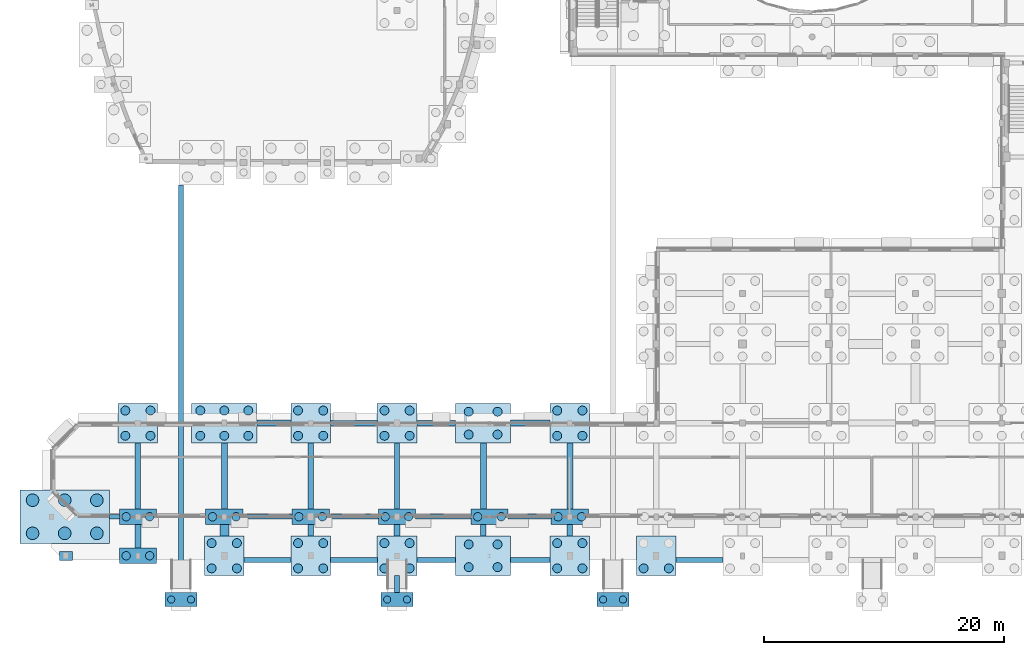
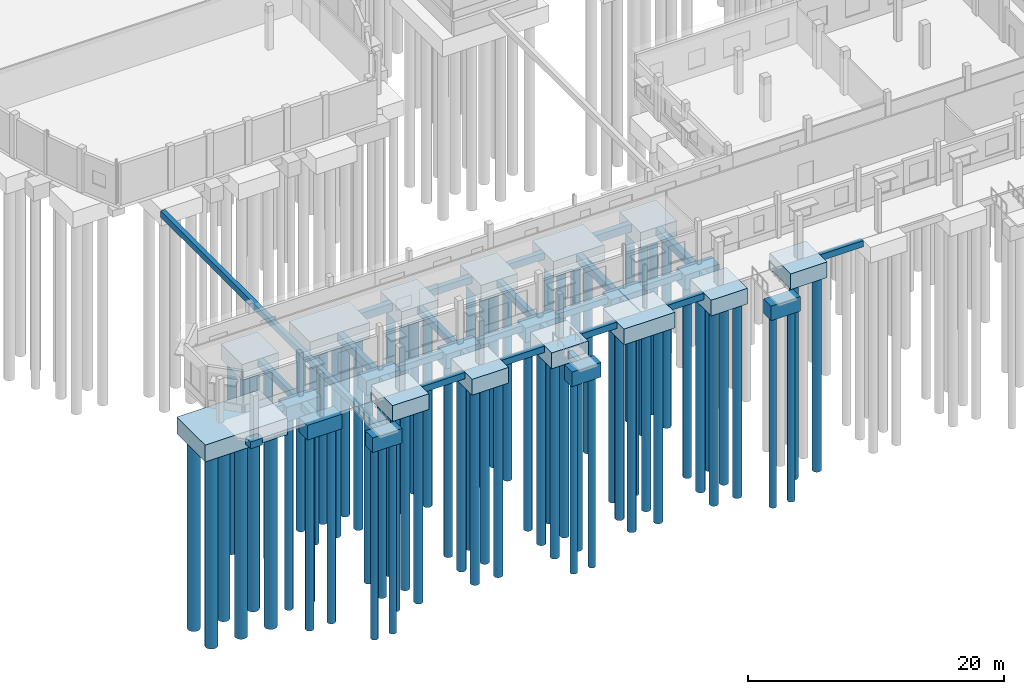
# One storey, part 1 of 93: 74 piles, 52 footings.
"""IFC4 building model written with IfcOpenShell, lengths in metres."""

from ifc_helpers import new_model, si_unit, direction, frame, origin, origin_2d, place, context, subcontext, project, spatial, rectangle, circle, extrude, material, material_profile, profile_set, type_object, element, save


model = new_model("IFC4")

# Units and contexts
model_context = context("Model", 3, precision=1e-05, world=origin(), true_north=direction((0.0, 1.0)))
body_context = subcontext(model_context, "Body", "Model", "MODEL_VIEW")
ifc_project = project(units=[si_unit("LENGTHUNIT", "METRE"), si_unit("AREAUNIT", "SQUARE_METRE"), si_unit("VOLUMEUNIT", "CUBIC_METRE"), si_unit("PLANEANGLEUNIT", "RADIAN"), si_unit("MASSUNIT", "GRAM", prefix="KILO")], contexts=[model_context])

# Site, building, storey
site_placement = place(None, origin())
site = spatial("IfcSite", under=ifc_project, at=site_placement, CompositionType="ELEMENT")
building_placement = place(site_placement, origin())
building = spatial("IfcBuilding", under=site, at=building_placement, Name="Kelanivale Promenade Academy", CompositionType="ELEMENT")
storey_placement = place(building_placement, origin())
storey = spatial("IfcBuildingStorey", under=building, at=storey_placement, Name="L00", CompositionType="ELEMENT", Elevation=0.0)

# Piles
ifc_material = material(Name="Concrete C35/45", Category="concrete")
ifc_material_profile_1 = material_profile(ifc_material, circle(Radius=0.300048828125, at=origin_2d()), Name="BORED PILE D600")
ifc_profile_set_1 = profile_set([ifc_material_profile_1], Name="Concrete C35/45")
pile_type_1 = type_object("IfcPileType", Name="BP-1 BORED PILE D600", PredefinedType="BORED", material=ifc_profile_set_1)
for number, where, z_axis, x_axis, name in (
    (1, (9.97509765625, -3.300048828125, -1.625), (0.0, 0.0, -1.0), (1.0, 0.0, 0.0), "Bored pile FC-RMP-01-BP1-P01"),
    (2, (11.625, -3.300048828125, -1.625), (0.0, 0.0, -1.0), (1.0, 0.0, 0.0), "Bored pile FC-RMP-01-BP1-P02"),
    (3, (27.97509765625, -3.300048828125, -1.625), (0.0, 0.0, -1.0), (1.0, 0.0, 0.0), "Bored pile FC-RMP-02-BP1-P01"),
    (4, (29.625, -3.300048828125, -1.625), (0.0, 0.0, -1.0), (1.0, 0.0, 0.0), "Bored pile FC-RMP-02-BP1-P02"),
    (5, (45.97509765625, -3.300048828125, -1.625), (0.0, 0.0, -1.0), (1.0, 0.0, 0.0), "Bored pile FC-RMP-03-BP1-P01"),
    (6, (47.625, -3.300048828125, -1.625), (0.0, 0.0, -1.0), (1.0, 0.0, 0.0), "Bored pile FC-RMP-03-BP1-P02"),
):
    element("IfcPile", number, at=place(storey_placement, frame(where, z_axis=z_axis, x_axis=x_axis)), inside=storey, type_object=pile_type_1, Name=name, PredefinedType="BORED", context=body_context, shape_type="SweptSolid", body=[
        extrude(circle(Radius=0.300048828125, at=origin_2d()), origin(), (0.0, 0.0, 1.0), 18.375),
    ])
ifc_material_profile_2 = material_profile(ifc_material, circle(Radius=0.35009765625, at=origin_2d()), Name="BORED PILE D700")
ifc_profile_set_2 = profile_set([ifc_material_profile_2], Name="Concrete C35/45")
pile_type_2 = type_object("IfcPileType", Name="BP-2 BORED PILE D700", PredefinedType="BORED", material=ifc_profile_set_2)
for number, where, z_axis, x_axis, name in (
    (7, (6.219970703125, 0.35009765625, -1.25), (0.0, 0.0, -1.0), (1.0, 0.0, 0.0), "Bored pile FC-011-BP2-P01"),
    (8, (8.179931640625, 0.35009765625, -1.25), (0.0, 0.0, -1.0), (1.0, 0.0, 0.0), "Bored pile FC-011-BP2-P02"),
):
    element("IfcPile", number, at=place(storey_placement, frame(where, z_axis=z_axis, x_axis=x_axis)), inside=storey, type_object=pile_type_2, Name=name, PredefinedType="BORED", context=body_context, shape_type="SweptSolid", body=[
        extrude(circle(Radius=0.35009765625, at=origin_2d()), origin(), (0.0, 0.0, 1.0), 18.75),
    ])
for number, where, z_axis, x_axis, name in (
    (9, (6.219970703125, 3.60009765625, -1.5), (0.0, 0.0, -1.0), (1.0, 0.0, 0.0), "Bored pile FC-012-BP2-P01"),
    (10, (8.179931640625, 3.60009765625, -1.5), (0.0, 0.0, -1.0), (1.0, 0.0, 0.0), "Bored pile FC-012-BP2-P02"),
    (11, (13.419921875, 3.60009765625, -1.5), (0.0, 0.0, -1.0), (1.0, 0.0, 0.0), "Bored pile FC-017-BP2-P01"),
    (12, (15.3798828125, 3.60009765625, -1.5), (0.0, 0.0, -1.0), (1.0, 0.0, 0.0), "Bored pile FC-017-BP2-P02"),
    (13, (20.6201171875, 3.60009765625, -1.5), (0.0, 0.0, -1.0), (1.0, 0.0, 0.0), "Bored pile FC-024-BP2-P01"),
    (14, (22.580078125, 3.60009765625, -1.5), (0.0, 0.0, -1.0), (1.0, 0.0, 0.0), "Bored pile FC-024-BP2-P02"),
    (15, (27.820068359375, 3.60009765625, -1.5), (0.0, 0.0, -1.0), (1.0, 0.0, 0.0), "Bored pile FC-031-BP2-P01"),
    (16, (29.780029296875, 3.60009765625, -1.5), (0.0, 0.0, -1.0), (1.0, 0.0, 0.0), "Bored pile FC-031-BP2-P02"),
    (17, (35.52001953125, 3.60009765625, -1.5), (0.0, 0.0, -1.0), (1.0, 0.0, 0.0), "Bored pile FC-046-BP2-P01"),
    (18, (37.47998046875, 3.60009765625, -1.5), (0.0, 0.0, -1.0), (1.0, 0.0, 0.0), "Bored pile FC-046-BP2-P02"),
    (19, (42.219970703125, 3.60009765625, -1.5), (0.0, 0.0, -1.0), (1.0, 0.0, 0.0), "Bored pile FC-048-BP2-P01"),
    (20, (44.179931640625, 3.60009765625, -1.5), (0.0, 0.0, -1.0), (1.0, 0.0, 0.0), "Bored pile FC-048-BP2-P02"),
):
    element("IfcPile", number, at=place(storey_placement, frame(where, z_axis=z_axis, x_axis=x_axis)), inside=storey, type_object=pile_type_2, Name=name, PredefinedType="BORED", context=body_context, shape_type="SweptSolid", body=[
        extrude(circle(Radius=0.35009765625, at=origin_2d()), origin(), (0.0, 0.0, 1.0), 18.5),
    ])
ifc_material_profile_3 = material_profile(ifc_material, circle(Radius=0.375, at=origin_2d()), Name="BORED PILE D750")
ifc_profile_set_3 = profile_set([ifc_material_profile_3], Name="Concrete C35/45")
pile_type_3 = type_object("IfcPileType", Name="BP-3 BORED PILE D750", PredefinedType="BORED", material=ifc_profile_set_3)
for number, where, z_axis, x_axis, name in (
    (21, (34.77490234375, -0.60009765625, -1.35009765625), (0.0, 0.0, -1.0), (1.0, 0.0, 0.0), "Bored pile FC-MJ-WP1-BP3-P01"),
    (22, (34.77490234375, 1.300048828125, -1.35009765625), (0.0, 0.0, -1.0), (1.0, 0.0, 0.0), "Bored pile FC-MJ-WP1-BP3-P02"),
    (23, (37.175048828125, -0.60009765625, -1.35009765625), (0.0, 0.0, -1.0), (1.0, 0.0, 0.0), "Bored pile FC-MJ-WP1-BP3-P03"),
    (24, (37.175048828125, 1.300048828125, -1.35009765625), (0.0, 0.0, -1.0), (1.0, 0.0, 0.0), "Bored pile FC-MJ-WP1-BP3-P04"),
):
    element("IfcPile", number, at=place(storey_placement, frame(where, z_axis=z_axis, x_axis=x_axis)), inside=storey, type_object=pile_type_3, Name=name, PredefinedType="BORED", context=body_context, shape_type="SweptSolid", body=[
        extrude(circle(Radius=0.375, at=origin_2d()), origin(), (0.0, 0.0, 1.0), 18.64990234375),
    ])
for number, where, z_axis, x_axis, name in (
    (25, (34.77490234375, 10.449951171875, -1.60009765625), (0.0, 0.0, -1.0), (1.0, 0.0, 0.0), "Bored pile FC-MJ-WP3-BP3-P01"),
    (26, (34.77490234375, 12.35009765625, -1.60009765625), (0.0, 0.0, -1.0), (1.0, 0.0, 0.0), "Bored pile FC-MJ-WP3-BP3-P02"),
    (27, (37.175048828125, 10.449951171875, -1.60009765625), (0.0, 0.0, -1.0), (1.0, 0.0, 0.0), "Bored pile FC-MJ-WP3-BP3-P03"),
    (28, (37.175048828125, 12.35009765625, -1.60009765625), (0.0, 0.0, -1.0), (1.0, 0.0, 0.0), "Bored pile FC-MJ-WP3-BP3-P04"),
    (29, (6.14990234375, 10.35009765625, -1.60009765625), (0.0, 0.0, -1.0), (1.0, 0.0, 0.0), "Bored pile FC-013-BP3-P01"),
    (30, (6.14990234375, 12.449951171875, -1.60009765625), (0.0, 0.0, -1.0), (1.0, 0.0, 0.0), "Bored pile FC-013-BP3-P02"),
    (31, (8.25, 10.35009765625, -1.60009765625), (0.0, 0.0, -1.0), (1.0, 0.0, 0.0), "Bored pile FC-013-BP3-P03"),
    (32, (8.25, 12.449951171875, -1.60009765625), (0.0, 0.0, -1.0), (1.0, 0.0, 0.0), "Bored pile FC-013-BP3-P04"),
):
    element("IfcPile", number, at=place(storey_placement, frame(where, z_axis=z_axis, x_axis=x_axis)), inside=storey, type_object=pile_type_3, Name=name, PredefinedType="BORED", context=body_context, shape_type="SweptSolid", body=[
        extrude(circle(Radius=0.375, at=origin_2d()), origin(), (0.0, 0.0, 1.0), 18.39990234375),
    ])
for number, where, z_axis, x_axis, name in (
    (33, (13.35009765625, -0.699951171875, -1.35009765625), (0.0, 0.0, -1.0), (1.0, 0.0, 0.0), "Bored pile FC-016-BP3-P01"),
    (34, (13.35009765625, 1.39990234375, -1.35009765625), (0.0, 0.0, -1.0), (1.0, 0.0, 0.0), "Bored pile FC-016-BP3-P02"),
    (35, (15.449951171875, -0.699951171875, -1.35009765625), (0.0, 0.0, -1.0), (1.0, 0.0, 0.0), "Bored pile FC-016-BP3-P03"),
    (36, (15.449951171875, 1.39990234375, -1.35009765625), (0.0, 0.0, -1.0), (1.0, 0.0, 0.0), "Bored pile FC-016-BP3-P04"),
):
    element("IfcPile", number, at=place(storey_placement, frame(where, z_axis=z_axis, x_axis=x_axis)), inside=storey, type_object=pile_type_3, Name=name, PredefinedType="BORED", context=body_context, shape_type="SweptSolid", body=[
        extrude(circle(Radius=0.375, at=origin_2d()), origin(), (0.0, 0.0, 1.0), 18.64990234375),
    ])
for number, where, z_axis, x_axis, name in (
    (37, (12.39990234375, 10.35009765625, -1.60009765625), (0.0, 0.0, -1.0), (1.0, 0.0, 0.0), "Bored pile FC-018-BP3-P01"),
    (38, (14.39990234375, 10.35009765625, -1.60009765625), (0.0, 0.0, -1.0), (1.0, 0.0, 0.0), "Bored pile FC-018-BP3-P02"),
    (39, (16.39990234375, 10.35009765625, -1.60009765625), (0.0, 0.0, -1.0), (1.0, 0.0, 0.0), "Bored pile FC-018-BP3-P03"),
    (40, (12.39990234375, 12.449951171875, -1.60009765625), (0.0, 0.0, -1.0), (1.0, 0.0, 0.0), "Bored pile FC-018-BP3-P04"),
    (41, (14.39990234375, 12.449951171875, -1.60009765625), (0.0, 0.0, -1.0), (1.0, 0.0, 0.0), "Bored pile FC-018-BP3-P05"),
    (42, (16.39990234375, 12.449951171875, -1.60009765625), (0.0, 0.0, -1.0), (1.0, 0.0, 0.0), "Bored pile FC-018-BP3-P06"),
):
    element("IfcPile", number, at=place(storey_placement, frame(where, z_axis=z_axis, x_axis=x_axis)), inside=storey, type_object=pile_type_3, Name=name, PredefinedType="BORED", context=body_context, shape_type="SweptSolid", body=[
        extrude(circle(Radius=0.375, at=origin_2d()), origin(), (0.0, 0.0, 1.0), 18.39990234375),
    ])
for number, where, z_axis, x_axis, name in (
    (43, (20.550048828125, -0.699951171875, -1.35009765625), (0.0, 0.0, -1.0), (1.0, 0.0, 0.0), "Bored pile FC-023-BP3-P01"),
    (44, (20.550048828125, 1.39990234375, -1.35009765625), (0.0, 0.0, -1.0), (1.0, 0.0, 0.0), "Bored pile FC-023-BP3-P02"),
    (45, (22.64990234375, -0.699951171875, -1.35009765625), (0.0, 0.0, -1.0), (1.0, 0.0, 0.0), "Bored pile FC-023-BP3-P03"),
    (46, (22.64990234375, 1.39990234375, -1.35009765625), (0.0, 0.0, -1.0), (1.0, 0.0, 0.0), "Bored pile FC-023-BP3-P04"),
):
    element("IfcPile", number, at=place(storey_placement, frame(where, z_axis=z_axis, x_axis=x_axis)), inside=storey, type_object=pile_type_3, Name=name, PredefinedType="BORED", context=body_context, shape_type="SweptSolid", body=[
        extrude(circle(Radius=0.375, at=origin_2d()), origin(), (0.0, 0.0, 1.0), 18.64990234375),
    ])
for number, where, z_axis, x_axis, name in (
    (47, (20.550048828125, 10.35009765625, -1.60009765625), (0.0, 0.0, -1.0), (1.0, 0.0, 0.0), "Bored pile FC-025-BP3-P01"),
    (48, (20.550048828125, 12.449951171875, -1.60009765625), (0.0, 0.0, -1.0), (1.0, 0.0, 0.0), "Bored pile FC-025-BP3-P02"),
    (49, (22.64990234375, 10.35009765625, -1.60009765625), (0.0, 0.0, -1.0), (1.0, 0.0, 0.0), "Bored pile FC-025-BP3-P03"),
    (50, (22.64990234375, 12.449951171875, -1.60009765625), (0.0, 0.0, -1.0), (1.0, 0.0, 0.0), "Bored pile FC-025-BP3-P04"),
):
    element("IfcPile", number, at=place(storey_placement, frame(where, z_axis=z_axis, x_axis=x_axis)), inside=storey, type_object=pile_type_3, Name=name, PredefinedType="BORED", context=body_context, shape_type="SweptSolid", body=[
        extrude(circle(Radius=0.375, at=origin_2d()), origin(), (0.0, 0.0, 1.0), 18.39990234375),
    ])
for number, where, z_axis, x_axis, name in (
    (51, (27.75, -0.699951171875, -1.35009765625), (0.0, 0.0, -1.0), (1.0, 0.0, 0.0), "Bored pile FC-030-BP3-P01"),
    (52, (27.75, 1.39990234375, -1.35009765625), (0.0, 0.0, -1.0), (1.0, 0.0, 0.0), "Bored pile FC-030-BP3-P02"),
    (53, (29.85009765625, -0.699951171875, -1.35009765625), (0.0, 0.0, -1.0), (1.0, 0.0, 0.0), "Bored pile FC-030-BP3-P03"),
    (54, (29.85009765625, 1.39990234375, -1.35009765625), (0.0, 0.0, -1.0), (1.0, 0.0, 0.0), "Bored pile FC-030-BP3-P04"),
):
    element("IfcPile", number, at=place(storey_placement, frame(where, z_axis=z_axis, x_axis=x_axis)), inside=storey, type_object=pile_type_3, Name=name, PredefinedType="BORED", context=body_context, shape_type="SweptSolid", body=[
        extrude(circle(Radius=0.375, at=origin_2d()), origin(), (0.0, 0.0, 1.0), 18.64990234375),
    ])
for number, where, z_axis, x_axis, name in (
    (55, (27.75, 10.35009765625, -1.60009765625), (0.0, 0.0, -1.0), (1.0, 0.0, 0.0), "Bored pile FC-032-BP3-P01"),
    (56, (27.75, 12.449951171875, -1.60009765625), (0.0, 0.0, -1.0), (1.0, 0.0, 0.0), "Bored pile FC-032-BP3-P02"),
    (57, (29.85009765625, 10.35009765625, -1.60009765625), (0.0, 0.0, -1.0), (1.0, 0.0, 0.0), "Bored pile FC-032-BP3-P03"),
    (58, (29.85009765625, 12.449951171875, -1.60009765625), (0.0, 0.0, -1.0), (1.0, 0.0, 0.0), "Bored pile FC-032-BP3-P04"),
):
    element("IfcPile", number, at=place(storey_placement, frame(where, z_axis=z_axis, x_axis=x_axis)), inside=storey, type_object=pile_type_3, Name=name, PredefinedType="BORED", context=body_context, shape_type="SweptSolid", body=[
        extrude(circle(Radius=0.375, at=origin_2d()), origin(), (0.0, 0.0, 1.0), 18.39990234375),
    ])
for number, where, z_axis, x_axis, name in (
    (59, (42.14990234375, -0.699951171875, -1.35009765625), (0.0, 0.0, -1.0), (1.0, 0.0, 0.0), "Bored pile FC-047-BP3-P01"),
    (60, (42.14990234375, 1.39990234375, -1.35009765625), (0.0, 0.0, -1.0), (1.0, 0.0, 0.0), "Bored pile FC-047-BP3-P02"),
    (61, (44.25, -0.699951171875, -1.35009765625), (0.0, 0.0, -1.0), (1.0, 0.0, 0.0), "Bored pile FC-047-BP3-P03"),
    (62, (44.25, 1.39990234375, -1.35009765625), (0.0, 0.0, -1.0), (1.0, 0.0, 0.0), "Bored pile FC-047-BP3-P04"),
):
    element("IfcPile", number, at=place(storey_placement, frame(where, z_axis=z_axis, x_axis=x_axis)), inside=storey, type_object=pile_type_3, Name=name, PredefinedType="BORED", context=body_context, shape_type="SweptSolid", body=[
        extrude(circle(Radius=0.375, at=origin_2d()), origin(), (0.0, 0.0, 1.0), 18.64990234375),
    ])
for number, where, z_axis, x_axis, name in (
    (63, (42.14990234375, 10.35009765625, -1.60009765625), (0.0, 0.0, -1.0), (1.0, 0.0, 0.0), "Bored pile FC-049-BP3-P01"),
    (64, (42.14990234375, 12.449951171875, -1.60009765625), (0.0, 0.0, -1.0), (1.0, 0.0, 0.0), "Bored pile FC-049-BP3-P02"),
    (65, (44.25, 10.35009765625, -1.60009765625), (0.0, 0.0, -1.0), (1.0, 0.0, 0.0), "Bored pile FC-049-BP3-P03"),
    (66, (44.25, 12.449951171875, -1.60009765625), (0.0, 0.0, -1.0), (1.0, 0.0, 0.0), "Bored pile FC-049-BP3-P04"),
):
    element("IfcPile", number, at=place(storey_placement, frame(where, z_axis=z_axis, x_axis=x_axis)), inside=storey, type_object=pile_type_3, Name=name, PredefinedType="BORED", context=body_context, shape_type="SweptSolid", body=[
        extrude(circle(Radius=0.375, at=origin_2d()), origin(), (0.0, 0.0, 1.0), 18.39990234375),
    ])
for number, where, z_axis, x_axis, name in (
    (67, (49.35009765625, -0.699951171875, -1.35009765625), (0.0, 0.0, -1.0), (1.0, 0.0, 0.0), "Bored pile FC-053-BP3-P01"),
    (68, (51.449951171875, -0.699951171875, -1.35009765625), (0.0, 0.0, -1.0), (1.0, 0.0, 0.0), "Bored pile FC-053-BP3-P03"),
):
    element("IfcPile", number, at=place(storey_placement, frame(where, z_axis=z_axis, x_axis=x_axis)), inside=storey, type_object=pile_type_3, Name=name, PredefinedType="BORED", context=body_context, shape_type="SweptSolid", body=[
        extrude(circle(Radius=0.375, at=origin_2d()), origin(), (0.0, 0.0, 1.0), 18.64990234375),
    ])
ifc_material_profile_4 = material_profile(ifc_material, circle(Radius=0.52490234375, at=origin_2d()), Name="BORED PILE D1050")
ifc_profile_set_4 = profile_set([ifc_material_profile_4], Name="Concrete C35/45")
pile_type_4 = type_object("IfcPileType", Name="BP-6 BORED PILE D1050", PredefinedType="BORED", material=ifc_profile_set_4)
for number, where, z_axis, x_axis, name in (
    (69, (-1.580078125, 2.219970703125, -1.449951171875), (0.0, 0.0, -1.0), (1.0, 0.0, 0.0), "Bored pile FC-001-BP6-P01"),
    (70, (1.10009765625, 2.219970703125, -1.449951171875), (0.0, 0.0, -1.0), (1.0, 0.0, 0.0), "Bored pile FC-001-BP6-P02"),
    (71, (3.780029296875, 2.219970703125, -1.449951171875), (0.0, 0.0, -1.0), (1.0, 0.0, 0.0), "Bored pile FC-001-BP6-P03"),
    (72, (-1.580078125, 4.97998046875, -1.449951171875), (0.0, 0.0, -1.0), (1.0, 0.0, 0.0), "Bored pile FC-001-BP6-P04"),
    (73, (1.10009765625, 4.97998046875, -1.449951171875), (0.0, 0.0, -1.0), (1.0, 0.0, 0.0), "Bored pile FC-001-BP6-P05"),
    (74, (3.780029296875, 4.97998046875, -1.449951171875), (0.0, 0.0, -1.0), (1.0, 0.0, 0.0), "Bored pile FC-001-BP6-P06"),
):
    element("IfcPile", number, at=place(storey_placement, frame(where, z_axis=z_axis, x_axis=x_axis)), inside=storey, type_object=pile_type_4, Name=name, PredefinedType="BORED", context=body_context, shape_type="SweptSolid", body=[
        extrude(circle(Radius=0.52490234375, at=origin_2d()), origin(), (0.0, 0.0, 1.0), 18.550048828125),
    ])

# Footings
footing_type_1 = type_object("IfcFootingType", Name="GB-01 450x650", PredefinedType="FOOTING_BEAM", material=ifc_material)
footing_1_placement = place(storey_placement, frame((25.199951171875, 11.39990234375, -0.89990234375), z_axis=(0.0, 0.0, 1.0), x_axis=(1.0, 0.0, 0.0)))
element("IfcFooting", 75, at=footing_1_placement, inside=storey, type_object=footing_type_1, Name="Ground beam GB-052", PredefinedType="FOOTING_BEAM", context=body_context, shape_type="SweptSolid", body=[
    extrude(rectangle(XDim=3.909912109375, YDim=0.449951171875, at=origin_2d()), origin(), (0.0, 0.0, 1.0), 0.64990234375),
])
footing_2_placement = place(storey_placement, frame((32.06201171875, 11.39990234375, -0.89990234375), z_axis=(0.0, 0.0, 1.0), x_axis=(1.0, 0.0, 0.0)))
element("IfcFooting", 76, at=footing_2_placement, inside=storey, type_object=footing_type_1, Name="Ground beam GB-053", PredefinedType="FOOTING_BEAM", context=body_context, shape_type="SweptSolid", body=[
    extrude(rectangle(XDim=3.235107421875, YDim=0.449951171875, at=origin_2d()), origin(), (0.0, 0.0, 1.0), 0.64990234375),
])
footing_3_placement = place(storey_placement, frame((7.199951171875, 7.0, -0.89990234375), z_axis=(0.0, 0.0, 1.0), x_axis=(0.0, 1.0, 0.0)))
element("IfcFooting", 77, at=footing_3_placement, inside=storey, type_object=footing_type_1, Name="Ground beam GB-118", PredefinedType="FOOTING_BEAM", context=body_context, shape_type="SweptSolid", body=[
    extrude(rectangle(XDim=5.510009765625, YDim=0.449951171875, at=origin_2d()), origin(), (0.0, 0.0, 1.0), 0.64990234375),
])
footing_4_placement = place(storey_placement, frame((21.60009765625, 2.47509765625, -0.89990234375), z_axis=(0.0, 0.0, 1.0), x_axis=(0.0, 1.0, 0.0)))
element("IfcFooting", 78, at=footing_4_placement, inside=storey, type_object=footing_type_1, Name="Ground beam GB-121", PredefinedType="FOOTING_BEAM", context=body_context, shape_type="SweptSolid", body=[
    extrude(rectangle(XDim=0.9599609375, YDim=0.449951171875, at=origin_2d()), origin(), (0.0, 0.0, 1.0), 0.64990234375),
])
for number, where, z_axis, x_axis, name in (
    (79, (21.60009765625, 7.0, -0.89990234375), (0.0, 0.0, 1.0), (0.0, 1.0, 0.0), "Ground beam GB-122"),
    (80, (28.800048828125, 7.0, -0.89990234375), (0.0, 0.0, 1.0), (0.0, 1.0, 0.0), "Ground beam GB-124"),
):
    element("IfcFooting", number, at=place(storey_placement, frame(where, z_axis=z_axis, x_axis=x_axis)), inside=storey, type_object=footing_type_1, Name=name, PredefinedType="FOOTING_BEAM", context=body_context, shape_type="SweptSolid", body=[
        extrude(rectangle(XDim=5.510009765625, YDim=0.449951171875, at=origin_2d()), origin(), (0.0, 0.0, 1.0), 0.64990234375),
    ])
for number, where, z_axis, x_axis, name in (
    (81, (36.0, 2.47509765625, -0.89990234375), (0.0, 0.0, 1.0), (0.0, 1.0, 0.0), "Ground beam GB-128"),
    (82, (43.199951171875, 2.47509765625, -0.89990234375), (0.0, 0.0, 1.0), (0.0, 1.0, 0.0), "Ground beam GB-131"),
):
    element("IfcFooting", number, at=place(storey_placement, frame(where, z_axis=z_axis, x_axis=x_axis)), inside=storey, type_object=footing_type_1, Name=name, PredefinedType="FOOTING_BEAM", context=body_context, shape_type="SweptSolid", body=[
        extrude(rectangle(XDim=0.9599609375, YDim=0.449951171875, at=origin_2d()), origin(), (0.0, 0.0, 1.0), 0.64990234375),
    ])
footing_type_2 = type_object("IfcFootingType", Name="GB-02 500x750", PredefinedType="FOOTING_BEAM", material=ifc_material)
footing_5_placement = place(storey_placement, frame((18.5380859375, 11.39990234375, -1.0), z_axis=(0.0, 0.0, 1.0), x_axis=(1.0, 0.0, 0.0)))
element("IfcFooting", 83, at=footing_5_placement, inside=storey, type_object=footing_type_2, Name="Ground beam GB-051", PredefinedType="FOOTING_BEAM", context=body_context, shape_type="SweptSolid", body=[
    extrude(rectangle(XDim=2.8349609375, YDim=0.5, at=origin_2d()), origin(), (0.0, 0.0, 1.0), 0.75),
])
footing_6_placement = place(storey_placement, frame((39.9130859375, 11.39990234375, -1.0), z_axis=(0.0, 0.0, 1.0), x_axis=(1.0, 0.0, 0.0)))
element("IfcFooting", 84, at=footing_6_placement, inside=storey, type_object=footing_type_2, Name="Ground beam GB-054", PredefinedType="FOOTING_BEAM", context=body_context, shape_type="SweptSolid", body=[
    extrude(rectangle(XDim=3.284912109375, YDim=0.5, at=origin_2d()), origin(), (0.0, 0.0, 1.0), 0.75),
])
footing_7_placement = place(storey_placement, frame((7.199951171875, 1.97509765625, -1.0), z_axis=(0.0, 0.0, 1.0), x_axis=(0.0, 1.0, 0.0)))
element("IfcFooting", 85, at=footing_7_placement, inside=storey, type_object=footing_type_2, Name="Ground beam GB-117", PredefinedType="FOOTING_BEAM", context=body_context, shape_type="SweptSolid", body=[
    extrude(rectangle(XDim=1.9599609375, YDim=0.5, at=origin_2d()), origin(), (0.0, 0.0, 1.0), 0.75),
])
footing_8_placement = place(storey_placement, frame((14.39990234375, 7.0, -1.0), z_axis=(0.0, 0.0, 1.0), x_axis=(0.0, 1.0, 0.0)))
element("IfcFooting", 86, at=footing_8_placement, inside=storey, type_object=footing_type_2, Name="Ground beam GB-120", PredefinedType="FOOTING_BEAM", context=body_context, shape_type="SweptSolid", body=[
    extrude(rectangle(XDim=5.510009765625, YDim=0.5, at=origin_2d()), origin(), (0.0, 0.0, 1.0), 0.75),
])
footing_9_placement = place(storey_placement, frame((28.800048828125, 2.47509765625, -1.0), z_axis=(0.0, 0.0, 1.0), x_axis=(0.0, 1.0, 0.0)))
element("IfcFooting", 87, at=footing_9_placement, inside=storey, type_object=footing_type_2, Name="Ground beam GB-123", PredefinedType="FOOTING_BEAM", context=body_context, shape_type="SweptSolid", body=[
    extrude(rectangle(XDim=0.9599609375, YDim=0.5, at=origin_2d()), origin(), (0.0, 0.0, 1.0), 0.75),
])
for number, where, z_axis, x_axis, name in (
    (88, (36.0, 7.0, -1.0), (0.0, 0.0, 1.0), (0.0, 1.0, 0.0), "Ground beam GB-129"),
    (89, (43.199951171875, 7.0, -1.0), (0.0, 0.0, 1.0), (0.0, 1.0, 0.0), "Ground beam GB-132"),
):
    element("IfcFooting", number, at=place(storey_placement, frame(where, z_axis=z_axis, x_axis=x_axis)), inside=storey, type_object=footing_type_2, Name=name, PredefinedType="FOOTING_BEAM", context=body_context, shape_type="SweptSolid", body=[
        extrude(rectangle(XDim=5.510009765625, YDim=0.5, at=origin_2d()), origin(), (0.0, 0.0, 1.0), 0.75),
    ])
footing_type_3 = type_object("IfcFootingType", Name="GB-03 400x600", PredefinedType="FOOTING_BEAM", material=ifc_material)
footing_10_placement = place(storey_placement, frame((10.800048828125, 14.27197265625, -0.97509765625), z_axis=(0.0, 0.0, 1.0), x_axis=(0.0, 1.0, 0.0)))
element("IfcFooting", 90, at=footing_10_placement, inside=storey, type_object=footing_type_3, Name="Ramp approach tie beam GB-023", PredefinedType="FOOTING_BEAM", context=body_context, shape_type="SweptSolid", body=[
    extrude(rectangle(XDim=33.9951171875, YDim=0.39990234375, at=origin_2d()), origin(), (0.0, 0.0, 1.0), 0.60009765625),
])
footing_11_placement = place(storey_placement, frame((28.800048828125, -2.011962890625, -0.97509765625), z_axis=(0.0, 0.0, 1.0), x_axis=(0.0, 1.0, 0.0)))
element("IfcFooting", 91, at=footing_11_placement, inside=storey, type_object=footing_type_3, Name="Ramp approach tie beam GB-024", PredefinedType="FOOTING_BEAM", context=body_context, shape_type="SweptSolid", body=[
    extrude(rectangle(XDim=1.425048828125, YDim=0.39990234375, at=origin_2d()), origin(), (0.0, 0.0, 1.0), 0.60009765625),
])
for number, where, z_axis, x_axis, name in (
    (92, (18.0, 0.0, -0.60009765625), (0.0, 0.0, 1.0), (1.0, 0.0, 0.0), "Ground beam GB-028"),
    (93, (25.199951171875, 0.0, -0.60009765625), (0.0, 0.0, 1.0), (1.0, 0.0, 0.0), "Ground beam GB-029"),
):
    element("IfcFooting", number, at=place(storey_placement, frame(where, z_axis=z_axis, x_axis=x_axis)), inside=storey, type_object=footing_type_3, Name=name, PredefinedType="FOOTING_BEAM", context=body_context, shape_type="SweptSolid", body=[
        extrude(rectangle(XDim=3.909912109375, YDim=0.39990234375, at=origin_2d()), origin(), (0.0, 0.0, 1.0), 0.60009765625),
    ])
footing_12_placement = place(storey_placement, frame((32.06201171875, 0.0, -0.60009765625), z_axis=(0.0, 0.0, 1.0), x_axis=(1.0, 0.0, 0.0)))
element("IfcFooting", 94, at=footing_12_placement, inside=storey, type_object=footing_type_3, Name="Ground beam GB-030", PredefinedType="FOOTING_BEAM", context=body_context, shape_type="SweptSolid", body=[
    extrude(rectangle(XDim=3.235107421875, YDim=0.39990234375, at=origin_2d()), origin(), (0.0, 0.0, 1.0), 0.60009765625),
])
footing_13_placement = place(storey_placement, frame((39.9130859375, 0.0, -0.60009765625), z_axis=(0.0, 0.0, 1.0), x_axis=(1.0, 0.0, 0.0)))
element("IfcFooting", 95, at=footing_13_placement, inside=storey, type_object=footing_type_3, Name="Ground beam GB-031", PredefinedType="FOOTING_BEAM", context=body_context, shape_type="SweptSolid", body=[
    extrude(rectangle(XDim=3.284912109375, YDim=0.39990234375, at=origin_2d()), origin(), (0.0, 0.0, 1.0), 0.60009765625),
])
footing_14_placement = place(storey_placement, frame((54.0, 0.0, -0.60009765625), z_axis=(0.0, 0.0, 1.0), x_axis=(1.0, 0.0, 0.0)))
element("IfcFooting", 96, at=footing_14_placement, inside=storey, type_object=footing_type_3, Name="Ground beam GB-032", PredefinedType="FOOTING_BEAM", context=body_context, shape_type="SweptSolid", body=[
    extrude(rectangle(XDim=3.909912109375, YDim=0.39990234375, at=origin_2d()), origin(), (0.0, 0.0, 1.0), 0.60009765625),
])
footing_15_placement = place(storey_placement, frame((5.238037109375, 3.60009765625, -0.85009765625), z_axis=(0.0, 0.0, 1.0), x_axis=(1.0, 0.0, 0.0)))
element("IfcFooting", 97, at=footing_15_placement, inside=storey, type_object=footing_type_3, Name="Ground beam GB-039", PredefinedType="FOOTING_BEAM", context=body_context, shape_type="SweptSolid", body=[
    extrude(rectangle(XDim=0.8349609375, YDim=0.39990234375, at=origin_2d()), origin(), (0.0, 0.0, 1.0), 0.60009765625),
])
for number, where, z_axis, x_axis, name in (
    (98, (18.0, 3.60009765625, -0.85009765625), (0.0, 0.0, 1.0), (1.0, 0.0, 0.0), "Ground beam GB-040"),
    (99, (25.199951171875, 3.60009765625, -0.85009765625), (0.0, 0.0, 1.0), (1.0, 0.0, 0.0), "Ground beam GB-041"),
):
    element("IfcFooting", number, at=place(storey_placement, frame(where, z_axis=z_axis, x_axis=x_axis)), inside=storey, type_object=footing_type_3, Name=name, PredefinedType="FOOTING_BEAM", context=body_context, shape_type="SweptSolid", body=[
        extrude(rectangle(XDim=4.110107421875, YDim=0.39990234375, at=origin_2d()), origin(), (0.0, 0.0, 1.0), 0.60009765625),
    ])
footing_16_placement = place(storey_placement, frame((32.64990234375, 3.60009765625, -0.85009765625), z_axis=(0.0, 0.0, 1.0), x_axis=(1.0, 0.0, 0.0)))
element("IfcFooting", 100, at=footing_16_placement, inside=storey, type_object=footing_type_3, Name="Ground beam GB-042", PredefinedType="FOOTING_BEAM", context=body_context, shape_type="SweptSolid", body=[
    extrude(rectangle(XDim=4.610107421875, YDim=0.39990234375, at=origin_2d()), origin(), (0.0, 0.0, 1.0), 0.60009765625),
])
footing_17_placement = place(storey_placement, frame((39.85009765625, 3.60009765625, -0.85009765625), z_axis=(0.0, 0.0, 1.0), x_axis=(1.0, 0.0, 0.0)))
element("IfcFooting", 101, at=footing_17_placement, inside=storey, type_object=footing_type_3, Name="Ground beam GB-043", PredefinedType="FOOTING_BEAM", context=body_context, shape_type="SweptSolid", body=[
    extrude(rectangle(XDim=3.610107421875, YDim=0.39990234375, at=origin_2d()), origin(), (0.0, 0.0, 1.0), 0.60009765625),
])
footing_type_4 = type_object("IfcFootingType", Name="PC-01 Pile Cap 2650x1150x1400", PredefinedType="PILE_CAP", material=ifc_material)
for number, where, z_axis, x_axis, name in (
    (102, (10.800048828125, -3.300048828125, -1.77490234375), (0.0, 0.0, 1.0), (1.0, 0.0, 0.0), "Pile cap FC-RMP-01"),
    (103, (28.800048828125, -3.300048828125, -1.77490234375), (0.0, 0.0, 1.0), (1.0, 0.0, 0.0), "Pile cap FC-RMP-02"),
    (104, (46.800048828125, -3.300048828125, -1.77490234375), (0.0, 0.0, 1.0), (1.0, 0.0, 0.0), "Pile cap FC-RMP-03"),
):
    element("IfcFooting", number, at=place(storey_placement, frame(where, z_axis=z_axis, x_axis=x_axis)), inside=storey, type_object=footing_type_4, Name=name, PredefinedType="PILE_CAP", context=body_context, shape_type="SweptSolid", body=[
        extrude(rectangle(XDim=2.64990234375, YDim=1.14990234375, at=origin_2d()), origin(), (0.0, 0.0, 1.0), 1.39990234375),
    ])
footing_type_5 = type_object("IfcFootingType", Name="PC-03 Pile Cap 3100x1300x1400", PredefinedType="PILE_CAP", material=ifc_material)
for number, where, z_axis, x_axis, name in (
    (105, (7.199951171875, 0.35009765625, -1.39990234375), (0.0, 0.0, 1.0), (1.0, 0.0, 0.0), "Pile cap FC-011"),
    (106, (7.199951171875, 3.60009765625, -1.64990234375), (0.0, 0.0, 1.0), (1.0, 0.0, 0.0), "Pile cap FC-012"),
    (107, (14.39990234375, 3.60009765625, -1.64990234375), (0.0, 0.0, 1.0), (1.0, 0.0, 0.0), "Pile cap FC-017"),
    (108, (21.60009765625, 3.60009765625, -1.64990234375), (0.0, 0.0, 1.0), (1.0, 0.0, 0.0), "Pile cap FC-024"),
    (109, (28.800048828125, 3.60009765625, -1.64990234375), (0.0, 0.0, 1.0), (1.0, 0.0, 0.0), "Pile cap FC-031"),
    (110, (36.5, 3.60009765625, -1.64990234375), (0.0, 0.0, 1.0), (1.0, 0.0, 0.0), "Pile cap FC-046"),
    (111, (43.199951171875, 3.60009765625, -1.64990234375), (0.0, 0.0, 1.0), (1.0, 0.0, 0.0), "Pile cap FC-048"),
):
    element("IfcFooting", number, at=place(storey_placement, frame(where, z_axis=z_axis, x_axis=x_axis)), inside=storey, type_object=footing_type_5, Name=name, PredefinedType="PILE_CAP", context=body_context, shape_type="SweptSolid", body=[
        extrude(rectangle(XDim=3.10009765625, YDim=1.300048828125, at=origin_2d()), origin(), (0.0, 0.0, 1.0), 1.39990234375),
    ])
footing_type_6 = type_object("IfcFootingType", Name="PC-05 Pile Cap 3300x3300x1500", PredefinedType="PILE_CAP", material=ifc_material)
for number, where, z_axis, x_axis, name in (
    (112, (7.199951171875, 11.39990234375, -1.75), (0.0, 0.0, 1.0), (1.0, 0.0, 0.0), "Pile cap FC-013"),
    (113, (14.39990234375, 0.35009765625, -1.5), (0.0, 0.0, 1.0), (1.0, 0.0, 0.0), "Pile cap FC-016"),
    (114, (21.60009765625, 0.35009765625, -1.5), (0.0, 0.0, 1.0), (1.0, 0.0, 0.0), "Pile cap FC-023"),
    (115, (21.60009765625, 11.39990234375, -1.75), (0.0, 0.0, 1.0), (1.0, 0.0, 0.0), "Pile cap FC-025"),
    (116, (28.800048828125, 0.35009765625, -1.5), (0.0, 0.0, 1.0), (1.0, 0.0, 0.0), "Pile cap FC-030"),
    (117, (28.800048828125, 11.39990234375, -1.75), (0.0, 0.0, 1.0), (1.0, 0.0, 0.0), "Pile cap FC-032"),
    (118, (43.199951171875, 0.35009765625, -1.5), (0.0, 0.0, 1.0), (1.0, 0.0, 0.0), "Pile cap FC-047"),
    (119, (43.199951171875, 11.39990234375, -1.75), (0.0, 0.0, 1.0), (1.0, 0.0, 0.0), "Pile cap FC-049"),
    (120, (50.39990234375, 0.35009765625, -1.5), (0.0, 0.0, 1.0), (1.0, 0.0, 0.0), "Pile cap FC-053"),
):
    element("IfcFooting", number, at=place(storey_placement, frame(where, z_axis=z_axis, x_axis=x_axis)), inside=storey, type_object=footing_type_6, Name=name, PredefinedType="PILE_CAP", context=body_context, shape_type="SweptSolid", body=[
        extrude(rectangle(XDim=3.300048828125, YDim=3.300048828125, at=origin_2d()), origin(), (0.0, 0.0, 1.0), 1.5),
    ])
footing_type_7 = type_object("IfcFootingType", Name="PC-06 Pile Cap 5450x3300x1500", PredefinedType="PILE_CAP", material=ifc_material)
footing_18_placement = place(storey_placement, frame((14.39990234375, 11.39990234375, -1.75), z_axis=(0.0, 0.0, 1.0), x_axis=(1.0, 0.0, 0.0)))
element("IfcFooting", 121, at=footing_18_placement, inside=storey, type_object=footing_type_7, Name="Pile cap FC-018", PredefinedType="PILE_CAP", context=body_context, shape_type="SweptSolid", body=[
    extrude(rectangle(XDim=5.449951171875, YDim=3.300048828125, at=origin_2d()), origin(), (0.0, 0.0, 1.0), 1.5),
])
footing_type_8 = type_object("IfcFootingType", Name="PC-12 Pile Cap 7450x4450x1600", PredefinedType="PILE_CAP", material=ifc_material)
footing_19_placement = place(storey_placement, frame((1.10009765625, 3.60009765625, -1.60009765625), z_axis=(0.0, 0.0, 1.0), x_axis=(1.0, 0.0, 0.0)))
element("IfcFooting", 122, at=footing_19_placement, inside=storey, type_object=footing_type_8, Name="Pile cap FC-001", PredefinedType="PILE_CAP", context=body_context, shape_type="SweptSolid", body=[
    extrude(rectangle(XDim=7.449951171875, YDim=4.449951171875, at=origin_2d()), origin(), (0.0, 0.0, 1.0), 1.60009765625),
])
footing_type_9 = type_object("IfcFootingType", Name="PC-J1 Pile Cap 4600x3300x1500", PredefinedType="PILE_CAP", material=ifc_material)
for number, where, z_axis, x_axis, name in (
    (123, (35.97509765625, 0.35009765625, -1.5), (0.0, 0.0, 1.0), (1.0, 0.0, 0.0), "Pile cap FC-MJ-WP1"),
    (124, (35.97509765625, 11.39990234375, -1.75), (0.0, 0.0, 1.0), (1.0, 0.0, 0.0), "Pile cap FC-MJ-WP3"),
):
    element("IfcFooting", number, at=place(storey_placement, frame(where, z_axis=z_axis, x_axis=x_axis)), inside=storey, type_object=footing_type_9, Name=name, PredefinedType="PILE_CAP", context=body_context, shape_type="SweptSolid", body=[
        extrude(rectangle(XDim=4.60009765625, YDim=3.300048828125, at=origin_2d()), origin(), (0.0, 0.0, 1.0), 1.5),
    ])
footing_type_10 = type_object("IfcFootingType", Name="SF-01 750x650", PredefinedType="STRIP_FOOTING", material=ifc_material)
footing_20_placement = place(storey_placement, frame((1.199951171875, 0.35009765625, -0.64990234375), z_axis=(0.0, 0.0, 1.0), x_axis=(1.0, 0.0, 0.0)))
element("IfcFooting", 125, at=footing_20_placement, inside=storey, type_object=footing_type_10, Name="Column pad footing FPAD-001", PredefinedType="STRIP_FOOTING", context=body_context, shape_type="SweptSolid", body=[
    extrude(rectangle(XDim=1.10009765625, YDim=0.75, at=origin_2d()), origin(), (0.0, 0.0, 1.0), 0.64990234375),
])
footing_21_placement = place(storey_placement, frame((14.39990234375, 2.47509765625, -0.89990234375), z_axis=(0.0, 0.0, 1.0), x_axis=(0.0, 1.0, 0.0)))
element("IfcFooting", 126, at=footing_21_placement, inside=storey, type_object=footing_type_10, Name="Ground beam GB-119", PredefinedType="STRIP_FOOTING", context=body_context, shape_type="SweptSolid", body=[
    extrude(rectangle(XDim=0.9599609375, YDim=0.75, at=origin_2d()), origin(), (0.0, 0.0, 1.0), 0.64990234375),
])

save(model, "model.ifc")
